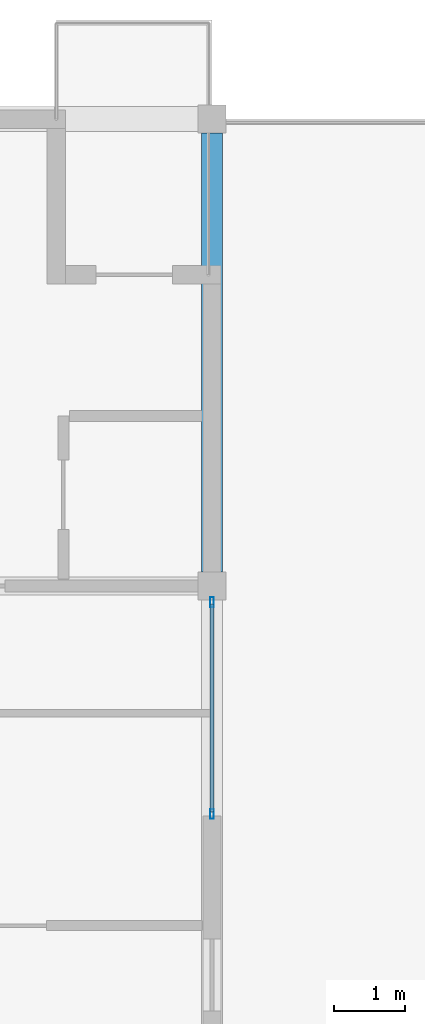
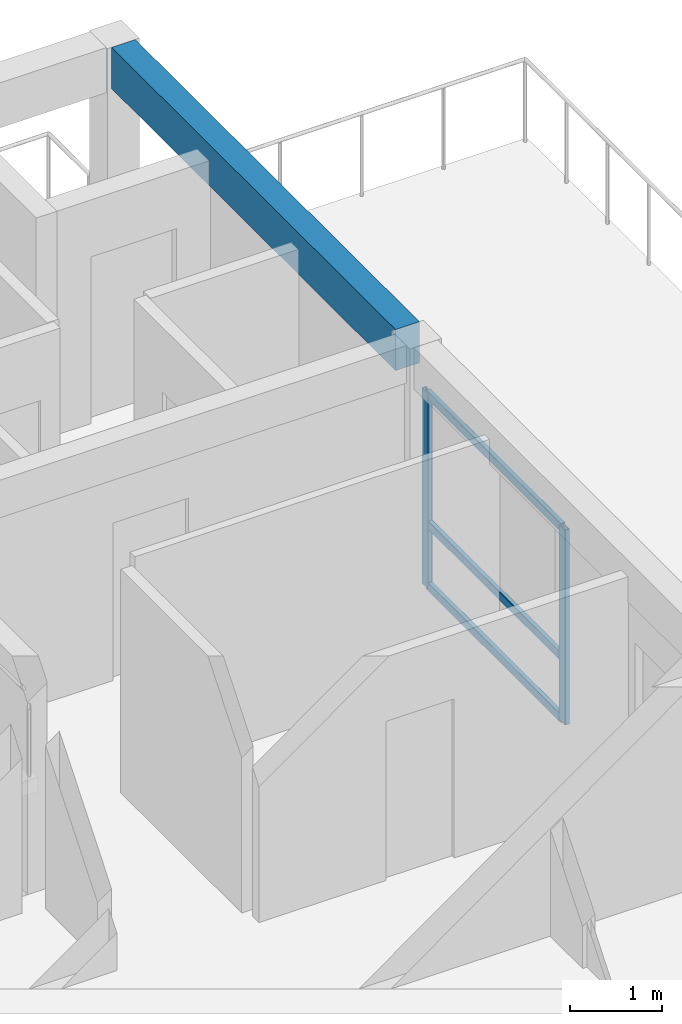
# One storey, part 8 of 22: 5 members, 1 beam, 1 element without a shape of its own.
"""IFC4 building model written with IfcOpenShell, lengths in metres."""

from ifc_helpers import new_model, si_unit, direction, frame, origin, origin_2d, place, context, subcontext, project, spatial, rectangle, hollow_rectangle, extrude, material, material_profile, profile_set, type_object, element, aggregate, save


model = new_model("IFC4")

# Units and contexts
model_context = context("Model", 3, precision=1e-05, world=origin(), true_north=direction((0.0, 1.0)))
body_context = subcontext(model_context, "Body", "Model", "MODEL_VIEW")
ifc_project = project(units=[si_unit("LENGTHUNIT", "METRE"), si_unit("AREAUNIT", "SQUARE_METRE"), si_unit("VOLUMEUNIT", "CUBIC_METRE"), si_unit("PLANEANGLEUNIT", "RADIAN"), si_unit("MASSUNIT", "GRAM", prefix="KILO")], contexts=[model_context])

# Site, building, storey
site_placement = place(None, origin())
site = spatial("IfcSite", under=ifc_project, at=site_placement, CompositionType="ELEMENT")
building_placement = place(site_placement, origin())
building = spatial("IfcBuilding", under=site, at=building_placement, Name="Kernevlak Ridge Housing Community", CompositionType="ELEMENT")
storey_placement = place(building_placement, frame((0.0, 0.0, 43.60009765625)))
storey = spatial("IfcBuildingStorey", under=building, at=storey_placement, Name="L13", CompositionType="ELEMENT", Elevation=43.60009765625)

# Curtain wall, members
ifc_material_1 = material(Name="Aluminium EN AW-6060 anodised and laminated glass", Category="aluminium")
curtain_wall_type = type_object("IfcCurtainWallType", Name="CW-11", PredefinedType="NOTDEFINED", material=ifc_material_1)
curtain_wall_placement = place(storey_placement, origin())
curtain_wall = element("IfcCurtainWall", 1, at=curtain_wall_placement, inside=storey, type_object=curtain_wall_type, Name="Curtain wall CW-11 CW-L13-096", PredefinedType="NOTDEFINED")
ifc_material_2 = material(Name="Aluminium EN AW-6060 anodised", Category="aluminium")
ifc_material_profile_1 = material_profile(ifc_material_2, hollow_rectangle(XDim=0.054931640625, YDim=0.139892578125, WallThickness=0.00390625, InnerFilletRadius=0.001953125, OuterFilletRadius=0.00390625, at=origin_2d()), Name="ALU 55x140x4")
ifc_profile_set_1 = profile_set([ifc_material_profile_1], Name="Aluminium EN AW-6060 anodised")
member_type_1 = type_object("IfcMemberType", Name="MU-01", PredefinedType="MULLION", material=ifc_profile_set_1)
member_1_placement = place(storey_placement, frame((145.800048828125, 92.577392578125, 0.0), z_axis=(0.0, 0.0, 1.0), x_axis=(-1.0, 0.0, 0.0)))
member_1 = element("IfcMember", 2, at=member_1_placement, type_object=member_type_1, Name="CW-11 mullion 1", PredefinedType="MULLION", context=body_context, shape_type="SweptSolid", body=[
    extrude(hollow_rectangle(XDim=0.054931640625, YDim=0.139892578125, WallThickness=0.00390625, InnerFilletRadius=0.001953125, OuterFilletRadius=0.00390625, at=origin_2d()), origin(), (0.0, 0.0, 1.0), 2.599853515625),
])
member_2_placement = place(storey_placement, frame((145.800048828125, 95.572509765625, 0.0), z_axis=(0.0, 0.0, 1.0), x_axis=(-1.0, 0.0, 0.0)))
member_2 = element("IfcMember", 3, at=member_2_placement, type_object=member_type_1, Name="CW-11 mullion 2", PredefinedType="MULLION", context=body_context, shape_type="SweptSolid", body=[
    extrude(hollow_rectangle(XDim=0.054931640625, YDim=0.139892578125, WallThickness=0.00390625, InnerFilletRadius=0.001953125, OuterFilletRadius=0.00390625, at=origin_2d()), origin(), (0.0, 0.0, 1.0), 2.599853515625),
])

# Beam
ifc_material_3 = material(Name="Concrete C35/45", Category="concrete")
ifc_material_profile_2 = material_profile(ifc_material_3, rectangle(XDim=0.300048828125, YDim=0.550048828125, at=origin_2d()), Name="RC 300x550")
ifc_profile_set_2 = profile_set([ifc_material_profile_2], Name="Concrete C35/45")
beam_type = type_object("IfcBeamType", Name="SP-01", PredefinedType="SPANDREL", material=ifc_profile_set_2)
beam_placement = place(storey_placement, frame((145.800048828125, 96.0, 2.9248046875), z_axis=(0.0, 1.0, 0.0), x_axis=(-1.0, 0.0, 0.0)))
element("IfcBeam", 4, at=beam_placement, inside=storey, type_object=beam_type, Name="Beam SP-01 L13 936", PredefinedType="SPANDREL", context=body_context, shape_type="SweptSolid", body=[
    extrude(rectangle(XDim=0.300048828125, YDim=0.550048828125, at=origin_2d()), origin(), (0.0, 0.0, 1.0), 6.199951171875),
])

# Member
ifc_material_profile_3 = material_profile(ifc_material_2, hollow_rectangle(XDim=0.054931640625, YDim=0.110107421875, WallThickness=0.00390625, InnerFilletRadius=0.001953125, OuterFilletRadius=0.00390625, at=origin_2d()), Name="ALU 55x110x4")
ifc_profile_set_3 = profile_set([ifc_material_profile_3], Name="Aluminium EN AW-6060 anodised")
member_type_2 = type_object("IfcMemberType", Name="TM-01", PredefinedType="USERDEFINED", material=ifc_profile_set_3)
member_3_placement = place(storey_placement, frame((145.800048828125, 92.60498046875, 0.02734375), z_axis=(0.0, 1.0, 0.0), x_axis=(-1.0, 0.0, 0.0)))
member_3 = element("IfcMember", 5, at=member_3_placement, type_object=member_type_2, Name="CW-11 transom 1.1", ObjectType="TRANSOM", PredefinedType="USERDEFINED", context=body_context, shape_type="SweptSolid", body=[
    extrude(hollow_rectangle(XDim=0.054931640625, YDim=0.110107421875, WallThickness=0.00390625, InnerFilletRadius=0.001953125, OuterFilletRadius=0.00390625, at=origin_2d()), origin(), (0.0, 0.0, 1.0), 2.93994140625),
])

member_4_placement = place(storey_placement, frame((145.800048828125, 92.60498046875, 0.849853515625), z_axis=(0.0, 1.0, 0.0), x_axis=(-1.0, 0.0, 0.0)))
member_4 = element("IfcMember", 6, at=member_4_placement, type_object=member_type_2, Name="CW-11 transom 1.2", ObjectType="TRANSOM", PredefinedType="USERDEFINED", context=body_context, shape_type="SweptSolid", body=[
    extrude(hollow_rectangle(XDim=0.054931640625, YDim=0.110107421875, WallThickness=0.00390625, InnerFilletRadius=0.001953125, OuterFilletRadius=0.00390625, at=origin_2d()), origin(), (0.0, 0.0, 1.0), 2.93994140625),
])

member_5_placement = place(storey_placement, frame((145.800048828125, 92.60498046875, 2.572509765625), z_axis=(0.0, 1.0, 0.0), x_axis=(-1.0, 0.0, 0.0)))
member_5 = element("IfcMember", 7, at=member_5_placement, type_object=member_type_2, Name="CW-11 transom 1.3", ObjectType="TRANSOM", PredefinedType="USERDEFINED", context=body_context, shape_type="SweptSolid", body=[
    extrude(hollow_rectangle(XDim=0.054931640625, YDim=0.110107421875, WallThickness=0.00390625, InnerFilletRadius=0.001953125, OuterFilletRadius=0.00390625, at=origin_2d()), origin(), (0.0, 0.0, 1.0), 2.93994140625),
])

aggregate(curtain_wall, [member_1, member_2, member_3, member_4, member_5])

save(model, "model.ifc")
